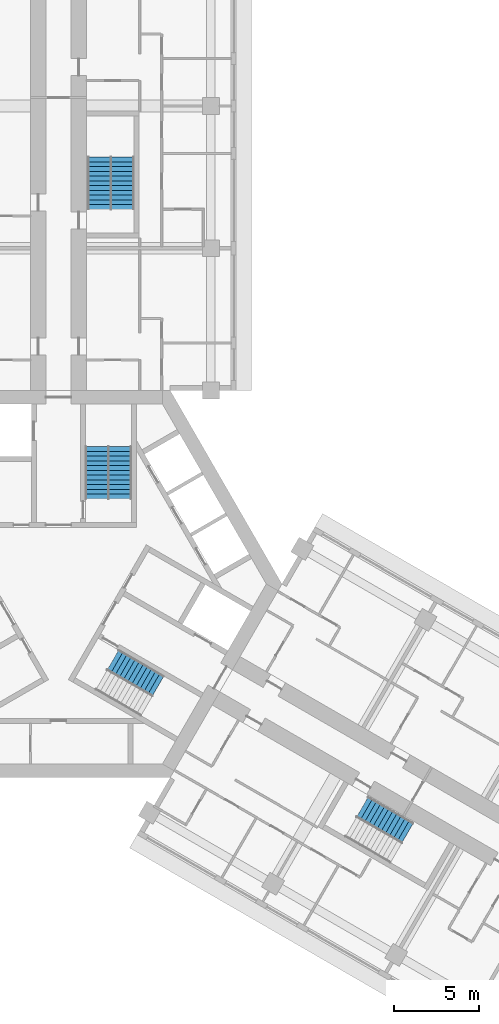
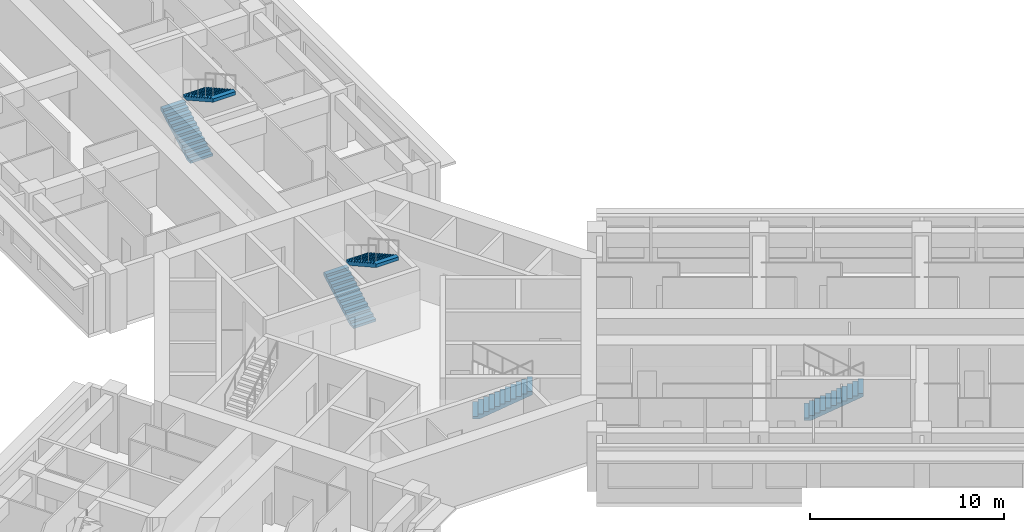
# One storey, part 12 of 13: 6 stair flights, 4 elements without a shape of their own.
"""IFC4 building model written with IfcOpenShell, lengths in metres."""

from ifc_helpers import new_model, si_unit, direction, frame, origin, place, context, subcontext, project, spatial, polyline, outline, extrude, material, type_object, element, aggregate, save


model = new_model("IFC4")

# Units and contexts
model_context = context("Model", 3, precision=1e-05, world=origin(), true_north=direction((0.0, 1.0)))
body_context = subcontext(model_context, "Body", "Model", "MODEL_VIEW")
ifc_project = project(units=[si_unit("LENGTHUNIT", "METRE"), si_unit("AREAUNIT", "SQUARE_METRE"), si_unit("VOLUMEUNIT", "CUBIC_METRE"), si_unit("PLANEANGLEUNIT", "RADIAN"), si_unit("MASSUNIT", "GRAM", prefix="KILO")], contexts=[model_context])

# Site, building, storey
site_placement = place(None, origin())
site = spatial("IfcSite", under=ifc_project, at=site_placement, CompositionType="ELEMENT")
building_placement = place(site_placement, origin())
building = spatial("IfcBuilding", under=site, at=building_placement, Name="Impinga Residences", CompositionType="ELEMENT")
storey_placement = place(building_placement, frame((0.0, 0.0, 151.0)))
storey = spatial("IfcBuildingStorey", under=building, at=storey_placement, Name="L37", CompositionType="ELEMENT", Elevation=151.0)

# Stair, stair flights
ifc_material = material(Name="Concrete C40/50", Category="concrete")
stair_type_1 = type_object("IfcStairType", Name="STR core stair 3750 storey, 24 risers", PredefinedType="HALF_TURN_STAIR", material=ifc_material)
stair_1_placement = place(storey_placement, origin())
stair_1 = element("IfcStair", 1, at=stair_1_placement, inside=storey, type_object=stair_type_1, Name="Stair ST1 L37", PredefinedType="HALF_TURN_STAIR")
stair_flight_type = type_object("IfcStairFlightType", Name="SF 12 risers of 156", PredefinedType="STRAIGHT", material=ifc_material)
stair_flight_1_placement = place(storey_placement, frame((2.27490234375, 5.030029296875, 0.0), z_axis=(0.0, 0.0, 1.0), x_axis=(0.0, 1.0, 0.0)))
stair_flight_1 = element("IfcStairFlight", 2, at=stair_flight_1_placement, type_object=stair_flight_type, Name="ST1 flight 1", NumberOfRisers=12, NumberOfTreads=11, PredefinedType="STRAIGHT", RiserHeight=0.15625, TreadLength=0.28, context=body_context, shape_type="SweptSolid", body=[
    extrude(outline(polyline([(0.0, 0.0), (0.0, 0.15625), (0.280029296875, 0.15625), (0.280029296875, 0.3125), (0.56005859375, 0.3125), (0.56005859375, 0.46875), (0.840087890625, 0.46875), (0.840087890625, 0.625), (1.1201171875, 0.625), (1.1201171875, 0.78125), (1.39990234375, 0.78125), (1.39990234375, 0.9375), (1.679931640625, 0.9375), (1.679931640625, 1.09375), (1.9599609375, 1.09375), (1.9599609375, 1.25), (2.239990234375, 1.25), (2.239990234375, 1.40625), (2.52001953125, 1.40625), (2.52001953125, 1.5625), (2.800048828125, 1.5625), (2.800048828125, 1.71875), (3.080078125, 1.71875), (3.080078125, 1.875), (3.080078125, 1.5126953125), (0.369140625, 0.0), (0.0, 0.0)])), frame((0.0, 0.675048828125, 0.0), z_axis=(0.0, -1.0, 0.0), x_axis=(1.0, 0.0, 0.0)), (0.0, 0.0, 1.0), 1.35009765625),
])
stair_flight_2_placement = place(storey_placement, frame((3.625, 8.110107421875, 1.875), z_axis=(0.0, 0.0, 1.0), x_axis=(0.0, -1.0, 0.0)))
stair_flight_2 = element("IfcStairFlight", 3, at=stair_flight_2_placement, type_object=stair_flight_type, Name="ST1 flight 2", NumberOfRisers=12, NumberOfTreads=11, PredefinedType="STRAIGHT", RiserHeight=0.15625, TreadLength=0.28, context=body_context, shape_type="SweptSolid", body=[
    extrude(outline(polyline([(0.0, 0.0), (0.0, 0.15625), (0.280029296875, 0.15625), (0.280029296875, 0.3125), (0.56005859375, 0.3125), (0.56005859375, 0.46875), (0.840087890625, 0.46875), (0.840087890625, 0.625), (1.1201171875, 0.625), (1.1201171875, 0.78125), (1.39990234375, 0.78125), (1.39990234375, 0.9375), (1.679931640625, 0.9375), (1.679931640625, 1.09375), (1.9599609375, 1.09375), (1.9599609375, 1.25), (2.239990234375, 1.25), (2.239990234375, 1.40625), (2.52001953125, 1.40625), (2.52001953125, 1.5625), (2.800048828125, 1.5625), (2.800048828125, 1.71875), (3.080078125, 1.71875), (3.080078125, 1.875), (3.080078125, 1.5126953125), (0.369140625, 0.0), (0.0, 0.0)])), frame((0.0, 0.675048828125, 0.0), z_axis=(0.0, -1.0, 0.0), x_axis=(1.0, 0.0, 0.0)), (0.0, 0.0, 1.0), 1.35009765625),
])
aggregate(stair_1, [stair_flight_1, stair_flight_2])

# Stair, stair flight
stair_2_placement = place(storey_placement, origin())
stair_2 = element("IfcStair", 4, at=stair_2_placement, inside=storey, type_object=stair_type_1, Name="Stair ST3 L37", PredefinedType="HALF_TURN_STAIR")
stair_flight_3_placement = place(storey_placement, frame((3.218505859375, -4.485107421875, 0.0), z_axis=(0.0, 0.0, 1.0), x_axis=(0.866025403784, -0.5, 0.0)))
stair_flight_3 = element("IfcStairFlight", 5, at=stair_flight_3_placement, type_object=stair_flight_type, Name="ST3 flight 1", NumberOfRisers=12, NumberOfTreads=11, PredefinedType="STRAIGHT", RiserHeight=0.15625, TreadLength=0.28, context=body_context, shape_type="SweptSolid", body=[
    extrude(outline(polyline([(0.0, 0.0), (0.0, 0.15625), (0.280029296875, 0.15625), (0.280029296875, 0.3125), (0.56005859375, 0.3125), (0.56005859375, 0.46875), (0.840087890625, 0.46875), (0.840087890625, 0.625), (1.1201171875, 0.625), (1.1201171875, 0.78125), (1.39990234375, 0.78125), (1.39990234375, 0.9375), (1.679931640625, 0.9375), (1.679931640625, 1.09375), (1.9599609375, 1.09375), (1.9599609375, 1.25), (2.239990234375, 1.25), (2.239990234375, 1.40625), (2.52001953125, 1.40625), (2.52001953125, 1.5625), (2.800048828125, 1.5625), (2.800048828125, 1.71875), (3.080078125, 1.71875), (3.080078125, 1.875), (3.080078125, 1.5126953125), (0.369140625, 0.0), (0.0, 0.0)])), frame((0.0, 0.675048828125, 0.0), z_axis=(0.0, -1.0, 0.0), x_axis=(1.0, 0.0, 0.0)), (0.0, 0.0, 1.0), 1.35009765625),
])
aggregate(stair_2, [stair_flight_3])

# Stair, stair flights
stair_type_2 = type_object("IfcStairType", Name="STR wing stair 3750 storey, 24 risers", PredefinedType="HALF_TURN_STAIR", material=ifc_material)
stair_3_placement = place(storey_placement, origin())
stair_3 = element("IfcStair", 6, at=stair_3_placement, inside=storey, type_object=stair_type_2, Name="Stair WS1 L37", PredefinedType="HALF_TURN_STAIR")
stair_flight_4_placement = place(storey_placement, frame((2.425048828125, 22.131591796875, 0.0), z_axis=(0.0, 0.0, 1.0), x_axis=(0.0, 1.0, 0.0)))
stair_flight_4 = element("IfcStairFlight", 7, at=stair_flight_4_placement, type_object=stair_flight_type, Name="WS1 flight 1", NumberOfRisers=12, NumberOfTreads=11, PredefinedType="STRAIGHT", RiserHeight=0.15625, TreadLength=0.28, context=body_context, shape_type="SweptSolid", body=[
    extrude(outline(polyline([(0.0, 0.0), (0.0, 0.15625), (0.280029296875, 0.15625), (0.280029296875, 0.3125), (0.56005859375, 0.3125), (0.56005859375, 0.46875), (0.840087890625, 0.46875), (0.840087890625, 0.625), (1.1201171875, 0.625), (1.1201171875, 0.78125), (1.39990234375, 0.78125), (1.39990234375, 0.9375), (1.679931640625, 0.9375), (1.679931640625, 1.09375), (1.9599609375, 1.09375), (1.9599609375, 1.25), (2.239990234375, 1.25), (2.239990234375, 1.40625), (2.52001953125, 1.40625), (2.52001953125, 1.5625), (2.800048828125, 1.5625), (2.800048828125, 1.71875), (3.080078125, 1.71875), (3.080078125, 1.875), (3.080078125, 1.5126953125), (0.369140625, 0.0), (0.0, 0.0)])), frame((0.0, 0.675048828125, 0.0), z_axis=(0.0, -1.0, 0.0), x_axis=(1.0, 0.0, 0.0)), (0.0, 0.0, 1.0), 1.35009765625),
])
stair_flight_5_placement = place(storey_placement, frame((3.77490234375, 25.21142578125, 1.875), z_axis=(0.0, 0.0, 1.0), x_axis=(0.0, -1.0, 0.0)))
stair_flight_5 = element("IfcStairFlight", 8, at=stair_flight_5_placement, type_object=stair_flight_type, Name="WS1 flight 2", NumberOfRisers=12, NumberOfTreads=11, PredefinedType="STRAIGHT", RiserHeight=0.15625, TreadLength=0.28, context=body_context, shape_type="SweptSolid", body=[
    extrude(outline(polyline([(0.0, 0.0), (0.0, 0.15625), (0.280029296875, 0.15625), (0.280029296875, 0.3125), (0.56005859375, 0.3125), (0.56005859375, 0.46875), (0.840087890625, 0.46875), (0.840087890625, 0.625), (1.1201171875, 0.625), (1.1201171875, 0.78125), (1.39990234375, 0.78125), (1.39990234375, 0.9375), (1.679931640625, 0.9375), (1.679931640625, 1.09375), (1.9599609375, 1.09375), (1.9599609375, 1.25), (2.239990234375, 1.25), (2.239990234375, 1.40625), (2.52001953125, 1.40625), (2.52001953125, 1.5625), (2.800048828125, 1.5625), (2.800048828125, 1.71875), (3.080078125, 1.71875), (3.080078125, 1.875), (3.080078125, 1.5126953125), (0.369140625, 0.0), (0.0, 0.0)])), frame((0.0, 0.675048828125, 0.0), z_axis=(0.0, -1.0, 0.0), x_axis=(1.0, 0.0, 0.0)), (0.0, 0.0, 1.0), 1.35009765625),
])
aggregate(stair_3, [stair_flight_4, stair_flight_5])

# Stair, stair flight
stair_4_placement = place(storey_placement, origin())
stair_4 = element("IfcStair", 9, at=stair_4_placement, inside=storey, type_object=stair_type_2, Name="Stair WS3 L37", PredefinedType="HALF_TURN_STAIR")
stair_flight_6_placement = place(storey_placement, frame((17.953857421875, -13.165771484375, 0.0), z_axis=(0.0, 0.0, 1.0), x_axis=(0.866025403784, -0.5, 0.0)))
stair_flight_6 = element("IfcStairFlight", 10, at=stair_flight_6_placement, type_object=stair_flight_type, Name="WS3 flight 1", NumberOfRisers=12, NumberOfTreads=11, PredefinedType="STRAIGHT", RiserHeight=0.15625, TreadLength=0.28, context=body_context, shape_type="SweptSolid", body=[
    extrude(outline(polyline([(0.0, 0.0), (0.0, 0.15625), (0.280029296875, 0.15625), (0.280029296875, 0.3125), (0.56005859375, 0.3125), (0.56005859375, 0.46875), (0.840087890625, 0.46875), (0.840087890625, 0.625), (1.1201171875, 0.625), (1.1201171875, 0.78125), (1.39990234375, 0.78125), (1.39990234375, 0.9375), (1.679931640625, 0.9375), (1.679931640625, 1.09375), (1.9599609375, 1.09375), (1.9599609375, 1.25), (2.239990234375, 1.25), (2.239990234375, 1.40625), (2.52001953125, 1.40625), (2.52001953125, 1.5625), (2.800048828125, 1.5625), (2.800048828125, 1.71875), (3.080078125, 1.71875), (3.080078125, 1.875), (3.080078125, 1.5126953125), (0.369140625, 0.0), (0.0, 0.0)])), frame((0.0, 0.675048828125, 0.0), z_axis=(0.0, -1.0, 0.0), x_axis=(1.0, 0.0, 0.0)), (0.0, 0.0, 1.0), 1.35009765625),
])
aggregate(stair_4, [stair_flight_6])

save(model, "model.ifc")
